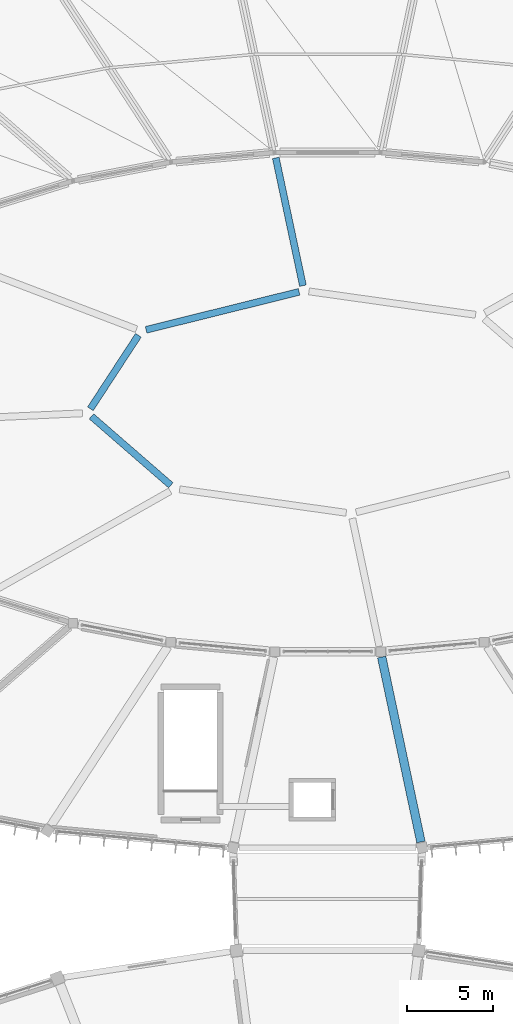
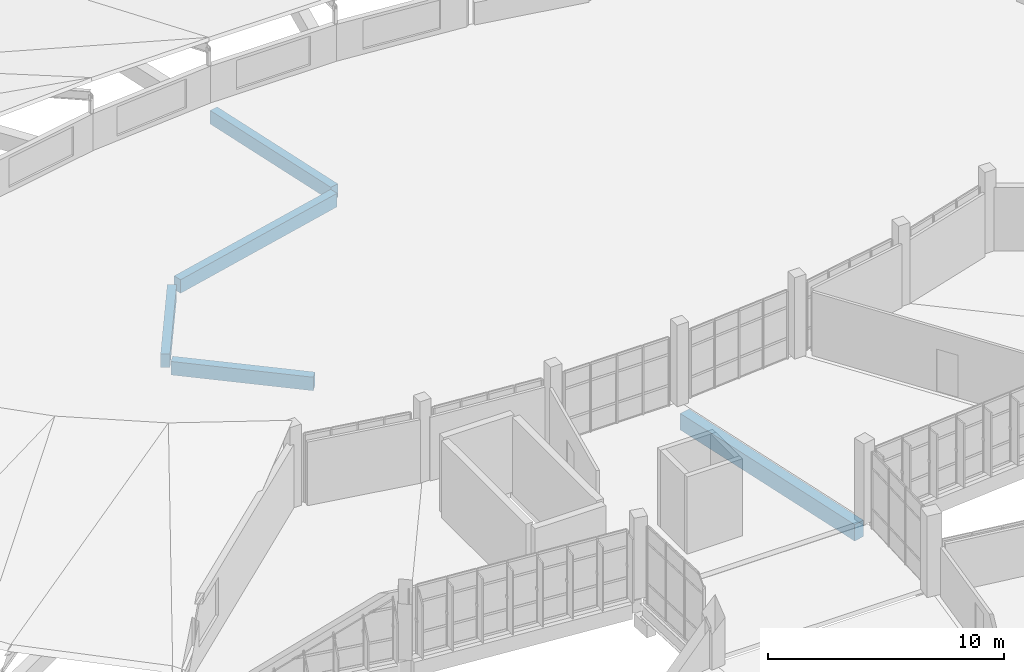
# One storey, part 42 of 142: 5 beams.
"""IFC4 building model written with IfcOpenShell, lengths in metres."""

from ifc_helpers import new_model, si_unit, direction, frame, origin, origin_2d, place, context, subcontext, project, spatial, rectangle, extrude, material, material_profile, profile_set, type_object, element, save


model = new_model("IFC4")

# Units and contexts
model_context = context("Model", 3, precision=1e-05, world=origin(), true_north=direction((0.0, 1.0)))
body_context = subcontext(model_context, "Body", "Model", "MODEL_VIEW")
ifc_project = project(units=[si_unit("LENGTHUNIT", "METRE"), si_unit("AREAUNIT", "SQUARE_METRE"), si_unit("VOLUMEUNIT", "CUBIC_METRE"), si_unit("PLANEANGLEUNIT", "RADIAN"), si_unit("MASSUNIT", "GRAM", prefix="KILO")], contexts=[model_context])

# Site, building, storey
site_placement = place(None, origin())
site = spatial("IfcSite", under=ifc_project, at=site_placement, CompositionType="ELEMENT")
building_placement = place(site_placement, origin())
building = spatial("IfcBuilding", under=site, at=building_placement, Name="Corvandel Quay Wholesale Market", CompositionType="ELEMENT")
storey_placement = place(building_placement, frame((0.0, 0.0, 10.800048828125)))
storey = spatial("IfcBuildingStorey", under=building, at=storey_placement, Name="L02", CompositionType="ELEMENT", Elevation=10.800048828125)

# Beams
ifc_material = material(Name="Precast concrete C45/55", Category="concrete")
ifc_material_profile_1 = material_profile(ifc_material, rectangle(XDim=0.5, YDim=0.85009765625, at=origin_2d()), Name="PC-GIR-500x850")
ifc_profile_set_1 = profile_set([ifc_material_profile_1], Name="Precast concrete C45/55")
beam_type_1 = type_object("IfcBeamType", Name="Fish Hall Radial Girder G04 500x850", PredefinedType="USERDEFINED", material=ifc_profile_set_1)
beam_1_placement = place(storey_placement, frame((119.4443359375, 90.33740234375, -0.7451171875), z_axis=(-0.207515120209, 0.978231810403, 0.0), x_axis=(-0.978231810403, -0.207515120209, 0.0)))
element("IfcBeam", 1, at=beam_1_placement, inside=storey, type_object=beam_type_1, Name="Beam BM-0701", ObjectType="GIRDER", PredefinedType="USERDEFINED", context=body_context, shape_type="SweptSolid", body=[
    extrude(rectangle(XDim=0.5, YDim=0.85009765625, at=origin_2d()), origin(), (0.0, 0.0, 1.0), 11.029541015625),
])
ifc_material_profile_2 = material_profile(ifc_material, rectangle(XDim=0.39990234375, YDim=0.699951171875, at=origin_2d()), Name="PC-GIR-400x700")
ifc_profile_set_2 = profile_set([ifc_material_profile_2], Name="Precast concrete C45/55")
beam_type_2 = type_object("IfcBeamType", Name="Roof Deck Primary Girder G07 400x700", PredefinedType="USERDEFINED", material=ifc_profile_set_2)
beam_2_placement = place(storey_placement, frame((112.334716796875, 122.428955078125, -0.550048828125), z_axis=(-0.970575192999, -0.240798244873, 0.0), x_axis=(0.240798244873, -0.970575192999, 0.0)))
element("IfcBeam", 2, at=beam_2_placement, inside=storey, type_object=beam_type_2, Name="Beam BM-0500", ObjectType="GIRDER", PredefinedType="USERDEFINED", context=body_context, shape_type="SweptSolid", body=[
    extrude(rectangle(XDim=0.39990234375, YDim=0.699951171875, at=origin_2d()), origin(), (0.0, 0.0, 1.0), 9.19384765625),
])
beam_3_placement = place(storey_placement, frame((110.977294921875, 130.2470703125, -0.550048828125), z_axis=(0.207556206033, -0.978223093848, 0.0), x_axis=(0.978223093848, 0.207556206033, 0.0)))
element("IfcBeam", 3, at=beam_3_placement, inside=storey, type_object=beam_type_2, Name="Beam BM-0501", ObjectType="GIRDER", PredefinedType="USERDEFINED", context=body_context, shape_type="SweptSolid", body=[
    extrude(rectangle(XDim=0.39990234375, YDim=0.699951171875, at=origin_2d()), origin(), (0.0, 0.0, 1.0), 7.62451171875),
])
beam_4_placement = place(storey_placement, frame((102.963623046875, 119.89697265625, -0.550048828125), z_axis=(-0.546869331525, -0.837217972954, 0.0), x_axis=(0.837217972954, -0.546869331525, 0.0)))
element("IfcBeam", 4, at=beam_4_placement, inside=storey, type_object=beam_type_2, Name="Beam BM-0504", ObjectType="GIRDER", PredefinedType="USERDEFINED", context=body_context, shape_type="SweptSolid", body=[
    extrude(rectangle(XDim=0.39990234375, YDim=0.699951171875, at=origin_2d()), origin(), (0.0, 0.0, 1.0), 5.124267578125),
])
beam_5_placement = place(storey_placement, frame((100.22265625, 115.16650390625, -0.550048828125), z_axis=(0.754961033056, -0.655769653588, 0.0), x_axis=(0.655769653588, 0.754961033056, 0.0)))
element("IfcBeam", 5, at=beam_5_placement, inside=storey, type_object=beam_type_2, Name="Beam BM-0508", ObjectType="GIRDER", PredefinedType="USERDEFINED", context=body_context, shape_type="SweptSolid", body=[
    extrude(rectangle(XDim=0.39990234375, YDim=0.699951171875, at=origin_2d()), origin(), (0.0, 0.0, 1.0), 6.133544921875),
])

save(model, "model.ifc")
